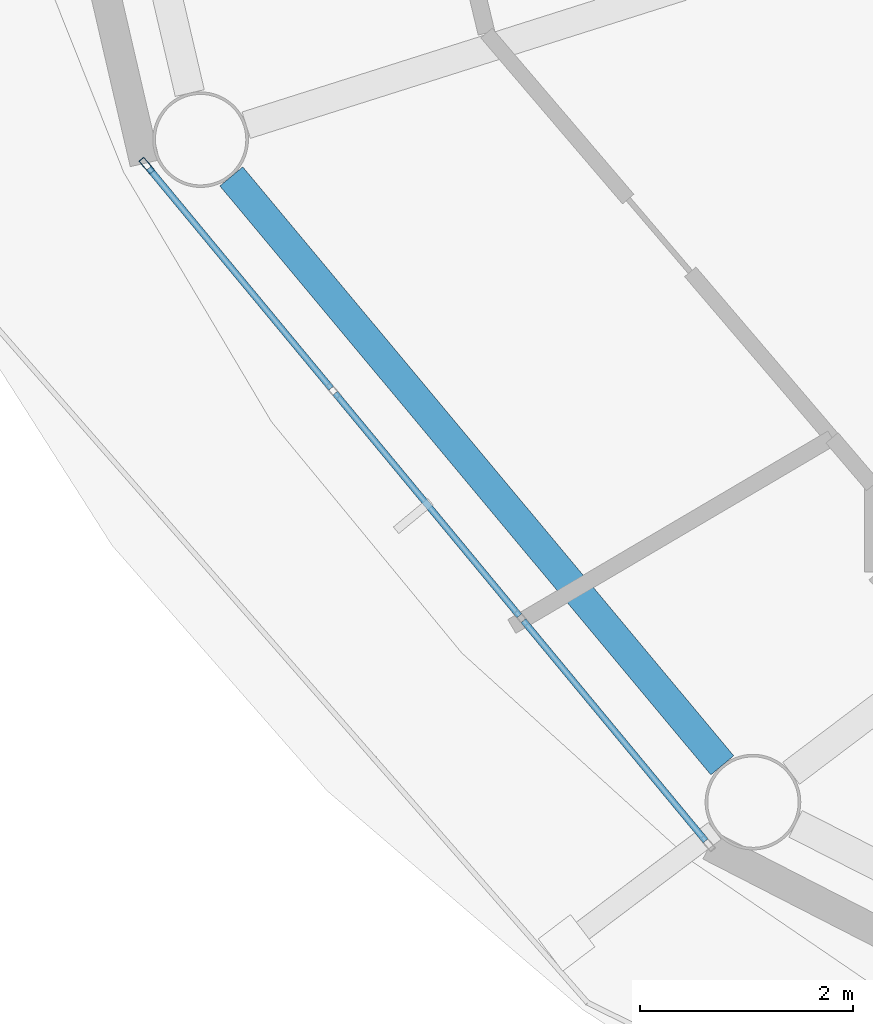
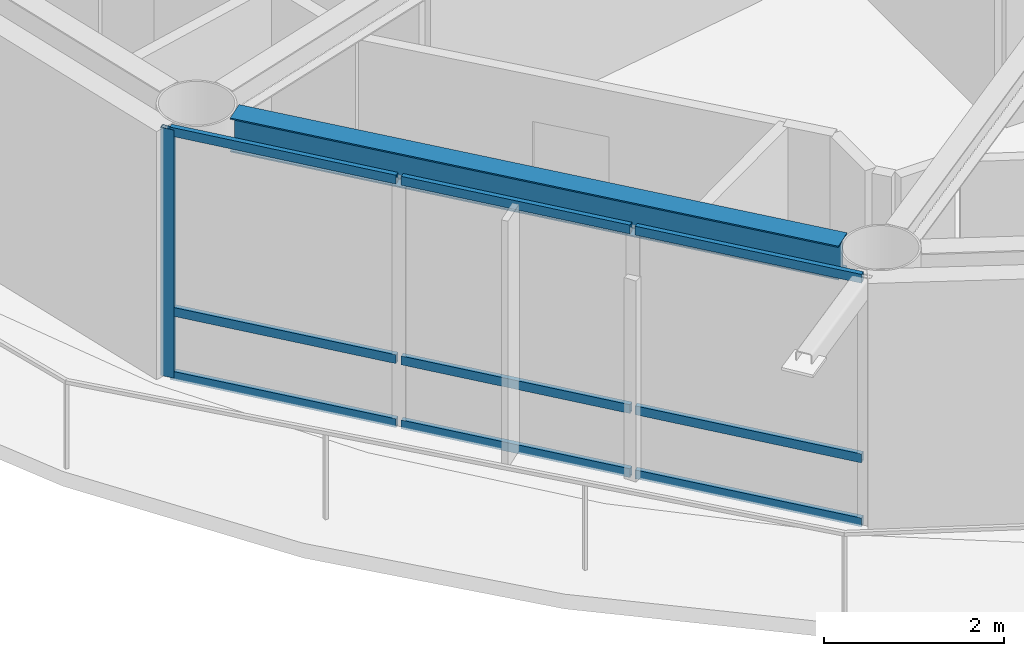
# One storey, part 3 of 22: 10 members, 1 beam, 1 element without a shape of its own.
"""IFC4 building model written with IfcOpenShell, lengths in metres."""

from ifc_helpers import new_model, si_unit, direction, frame, origin, origin_2d, place, context, subcontext, project, spatial, hollow_rectangle, i_section, extrude, material, layer, layer_set, material_profile, profile_set, type_object, element, aggregate, save


model = new_model("IFC4")

# Units and contexts
model_context = context("Model", 3, precision=1e-05, world=origin(), true_north=direction((0.0, 1.0)))
body_context = subcontext(model_context, "Body", "Model", "MODEL_VIEW")
ifc_project = project(units=[si_unit("LENGTHUNIT", "METRE"), si_unit("AREAUNIT", "SQUARE_METRE"), si_unit("VOLUMEUNIT", "CUBIC_METRE"), si_unit("PLANEANGLEUNIT", "RADIAN"), si_unit("MASSUNIT", "GRAM", prefix="KILO")], contexts=[model_context])

# Site, building, storey
site_placement = place(None, origin())
site = spatial("IfcSite", under=ifc_project, at=site_placement, CompositionType="ELEMENT")
building_placement = place(site_placement, origin())
building = spatial("IfcBuilding", under=site, at=building_placement, Name="Sarneth Arch Tower", CompositionType="ELEMENT")
storey_placement = place(building_placement, frame((0.0, 0.0, 301.800048828125)))
storey = spatial("IfcBuildingStorey", under=building, at=storey_placement, Name="L78", CompositionType="ELEMENT", Elevation=301.800048828125)

# Beam
ifc_material_1 = material(Name="Steel S355", Category="steel")
ifc_material_profile_1 = material_profile(ifc_material_1, i_section(OverallWidth=0.280029296875, OverallDepth=0.462890625, WebThickness=0.0107421875, FlangeThickness=0.017333984375, FilletRadius=0.01806640625, at=origin_2d()), Name="W460x113")
ifc_profile_set_1 = profile_set([ifc_material_profile_1], Name="Steel S355")
beam_type = type_object("IfcBeamType", Name="BM-RAD-460A", PredefinedType="BEAM", material=ifc_profile_set_1)
beam_placement = place(storey_placement, frame((25.119384765625, 34.306884765625, 3.138427734375), z_axis=(0.640390876881, -0.768049168222, 0.0), x_axis=(0.768049168222, 0.640390876881, 0.0)))
element("IfcBeam", 1, at=beam_placement, inside=storey, type_object=beam_type, Name="L78 Perimeter spandrel beam 10", PredefinedType="BEAM", context=body_context, shape_type="SweptSolid", body=[
    extrude(i_section(OverallWidth=0.280029296875, OverallDepth=0.462890625, WebThickness=0.0107421875, FlangeThickness=0.017333984375, FilletRadius=0.01806640625, at=origin_2d()), origin(), (0.0, 0.0, 1.0), 7.2099609375),
])

# Curtain wall, members
ifc_material_2 = material(Name="Anodised aluminium Type AA25 and solar-control low-e laminated IGU", Category="aluminium")
ifc_layer = layer(ifc_material_2, 0.179931640625)
ifc_layer_set = layer_set([ifc_layer], Name="Anodised aluminium Type AA25 and solar-control low-e laminated IGU")
curtain_wall_type = type_object("IfcCurtainWallType", Name="CW-RES-HIGH", PredefinedType="NOTDEFINED", material=ifc_layer_set)
curtain_wall_placement = place(storey_placement, origin())
curtain_wall = element("IfcCurtainWall", 2, at=curtain_wall_placement, inside=storey, type_object=curtain_wall_type, Name="L78 Unitised curtain wall facet 10", PredefinedType="NOTDEFINED")
ifc_material_3 = material(Name="Anodised Aluminium 6063-T6", Category="aluminium")
ifc_material_profile_2 = material_profile(ifc_material_3, hollow_rectangle(XDim=0.06005859375, YDim=0.159912109375, WallThickness=0.00390625, at=origin_2d()), Name="AL-MULL-160x60x4")
ifc_profile_set_2 = profile_set([ifc_material_profile_2], Name="Anodised Aluminium 6063-T6")
member_type_1 = type_object("IfcMemberType", Name="CW-MULLION", PredefinedType="MULLION", material=ifc_profile_set_2)
member_1_placement = place(storey_placement, frame((24.325439453125, 34.407470703125, 0.0), z_axis=(0.0, 0.0, 1.0), x_axis=(0.770359245933, 0.637610094184, 0.0)))
member_1 = element("IfcMember", 3, at=member_1_placement, type_object=member_type_1, Name="CW-SYS-6 mullion 1", PredefinedType="MULLION", context=body_context, shape_type="SweptSolid", body=[
    extrude(hollow_rectangle(XDim=0.06005859375, YDim=0.159912109375, WallThickness=0.00390625, at=origin_2d()), origin(), (0.0, 0.0, 1.0), 3.369873046875),
])
ifc_material_4 = material(Name="Anodised Aluminium 6063-T6", Category="aluminium")
ifc_material_profile_3 = material_profile(ifc_material_4, hollow_rectangle(XDim=0.06005859375, YDim=0.1201171875, WallThickness=0.00390625, at=origin_2d()), Name="AL-TRAN-120x60x4")
ifc_profile_set_3 = profile_set([ifc_material_profile_3], Name="Anodised Aluminium 6063-T6")
member_type_2 = type_object("IfcMemberType", Name="CW-TRANSOM", PredefinedType="USERDEFINED", material=ifc_profile_set_3)
member_2_placement = place(storey_placement, frame((24.344482421875, 34.38427734375, 0.030029296875), z_axis=(0.637651400067, -0.770325056059, 0.0), x_axis=(0.770325056059, 0.637651400067, 0.0)))
member_2 = element("IfcMember", 4, at=member_2_placement, type_object=member_type_2, Name="CW-SYS-6 transom 1.1", ObjectType="TRANSOM", PredefinedType="USERDEFINED", context=body_context, shape_type="SweptSolid", body=[
    extrude(hollow_rectangle(XDim=0.06005859375, YDim=0.1201171875, WallThickness=0.00390625, at=origin_2d()), origin(), (0.0, 0.0, 1.0), 2.6865234375),
])
member_3_placement = place(storey_placement, frame((24.344482421875, 34.38427734375, 0.89990234375), z_axis=(0.637651400067, -0.770325056059, 0.0), x_axis=(0.770325056059, 0.637651400067, 0.0)))
member_3 = element("IfcMember", 5, at=member_3_placement, type_object=member_type_2, Name="CW-SYS-6 transom 1.2", ObjectType="TRANSOM", PredefinedType="USERDEFINED", context=body_context, shape_type="SweptSolid", body=[
    extrude(hollow_rectangle(XDim=0.06005859375, YDim=0.1201171875, WallThickness=0.00390625, at=origin_2d()), origin(), (0.0, 0.0, 1.0), 2.6865234375),
])
member_4_placement = place(storey_placement, frame((24.344482421875, 34.38427734375, 3.33984375), z_axis=(0.637651400067, -0.770325056059, 0.0), x_axis=(0.770325056059, 0.637651400067, 0.0)))
member_4 = element("IfcMember", 6, at=member_4_placement, type_object=member_type_2, Name="CW-SYS-6 transom 1.3", ObjectType="TRANSOM", PredefinedType="USERDEFINED", context=body_context, shape_type="SweptSolid", body=[
    extrude(hollow_rectangle(XDim=0.06005859375, YDim=0.1201171875, WallThickness=0.00390625, at=origin_2d()), origin(), (0.0, 0.0, 1.0), 2.6865234375),
])
member_5_placement = place(storey_placement, frame((26.095703125, 32.268310546875, 0.030029296875), z_axis=(0.637617371902, -0.770353222261, 0.0), x_axis=(0.770353222261, 0.637617371902, 0.0)))
member_5 = element("IfcMember", 7, at=member_5_placement, type_object=member_type_2, Name="CW-SYS-6 transom 2.1", ObjectType="TRANSOM", PredefinedType="USERDEFINED", context=body_context, shape_type="SweptSolid", body=[
    extrude(hollow_rectangle(XDim=0.06005859375, YDim=0.1201171875, WallThickness=0.00390625, at=origin_2d()), origin(), (0.0, 0.0, 1.0), 2.716552734375),
])
member_6_placement = place(storey_placement, frame((26.095703125, 32.268310546875, 0.89990234375), z_axis=(0.637617371902, -0.770353222261, 0.0), x_axis=(0.770353222261, 0.637617371902, 0.0)))
member_6 = element("IfcMember", 8, at=member_6_placement, type_object=member_type_2, Name="CW-SYS-6 transom 2.2", ObjectType="TRANSOM", PredefinedType="USERDEFINED", context=body_context, shape_type="SweptSolid", body=[
    extrude(hollow_rectangle(XDim=0.06005859375, YDim=0.1201171875, WallThickness=0.00390625, at=origin_2d()), origin(), (0.0, 0.0, 1.0), 2.716552734375),
])
member_7_placement = place(storey_placement, frame((26.095703125, 32.268310546875, 3.33984375), z_axis=(0.637617371902, -0.770353222261, 0.0), x_axis=(0.770353222261, 0.637617371902, 0.0)))
member_7 = element("IfcMember", 9, at=member_7_placement, type_object=member_type_2, Name="CW-SYS-6 transom 2.3", ObjectType="TRANSOM", PredefinedType="USERDEFINED", context=body_context, shape_type="SweptSolid", body=[
    extrude(hollow_rectangle(XDim=0.06005859375, YDim=0.1201171875, WallThickness=0.00390625, at=origin_2d()), origin(), (0.0, 0.0, 1.0), 2.716552734375),
])
member_8_placement = place(storey_placement, frame((27.8662109375, 30.12939453125, 0.030029296875), z_axis=(0.637606765719, -0.770362000821, 0.0), x_axis=(0.770362000821, 0.637606765719, 0.0)))
member_8 = element("IfcMember", 10, at=member_8_placement, type_object=member_type_2, Name="CW-SYS-6 transom 3.1", ObjectType="TRANSOM", PredefinedType="USERDEFINED", context=body_context, shape_type="SweptSolid", body=[
    extrude(hollow_rectangle(XDim=0.06005859375, YDim=0.1201171875, WallThickness=0.00390625, at=origin_2d()), origin(), (0.0, 0.0, 1.0), 2.686767578125),
])
member_9_placement = place(storey_placement, frame((27.8662109375, 30.12939453125, 0.89990234375), z_axis=(0.637606765719, -0.770362000821, 0.0), x_axis=(0.770362000821, 0.637606765719, 0.0)))
member_9 = element("IfcMember", 11, at=member_9_placement, type_object=member_type_2, Name="CW-SYS-6 transom 3.2", ObjectType="TRANSOM", PredefinedType="USERDEFINED", context=body_context, shape_type="SweptSolid", body=[
    extrude(hollow_rectangle(XDim=0.06005859375, YDim=0.1201171875, WallThickness=0.00390625, at=origin_2d()), origin(), (0.0, 0.0, 1.0), 2.686767578125),
])
member_10_placement = place(storey_placement, frame((27.8662109375, 30.12939453125, 3.33984375), z_axis=(0.637606765719, -0.770362000821, 0.0), x_axis=(0.770362000821, 0.637606765719, 0.0)))
member_10 = element("IfcMember", 12, at=member_10_placement, type_object=member_type_2, Name="CW-SYS-6 transom 3.3", ObjectType="TRANSOM", PredefinedType="USERDEFINED", context=body_context, shape_type="SweptSolid", body=[
    extrude(hollow_rectangle(XDim=0.06005859375, YDim=0.1201171875, WallThickness=0.00390625, at=origin_2d()), origin(), (0.0, 0.0, 1.0), 2.686767578125),
])
aggregate(curtain_wall, [member_1, member_2, member_3, member_4, member_5, member_6, member_7, member_8, member_9, member_10])

save(model, "model.ifc")
